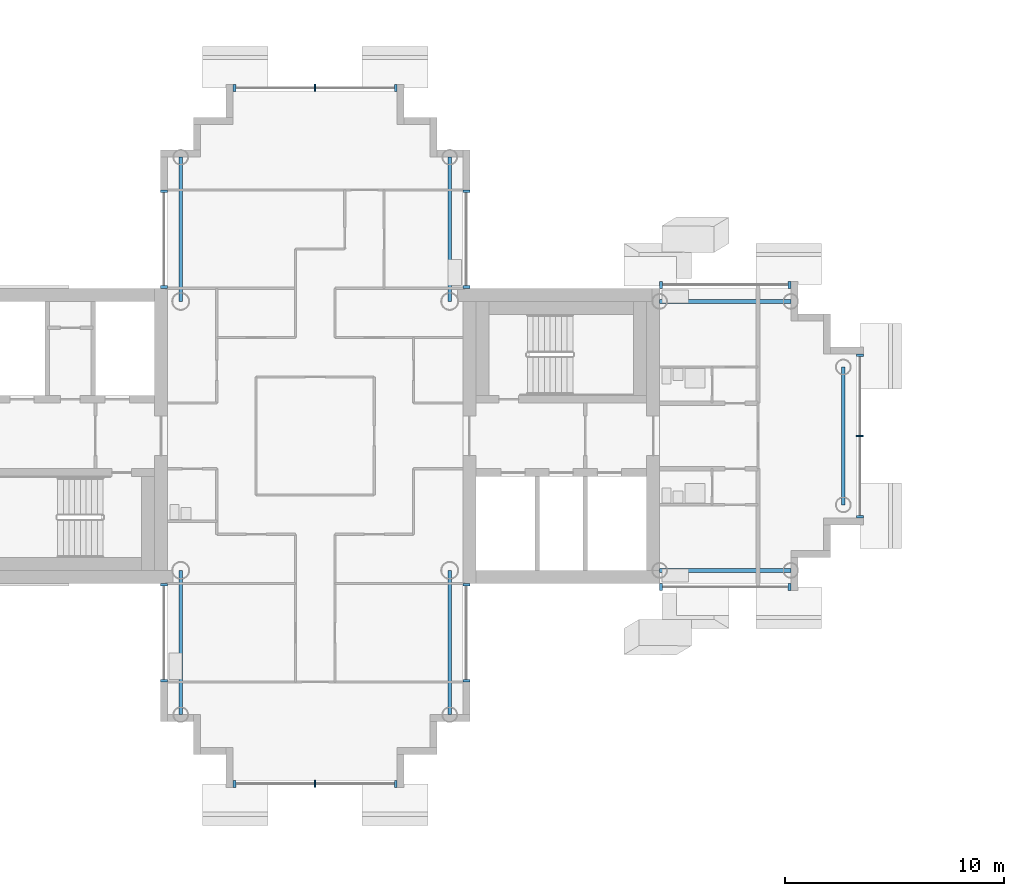
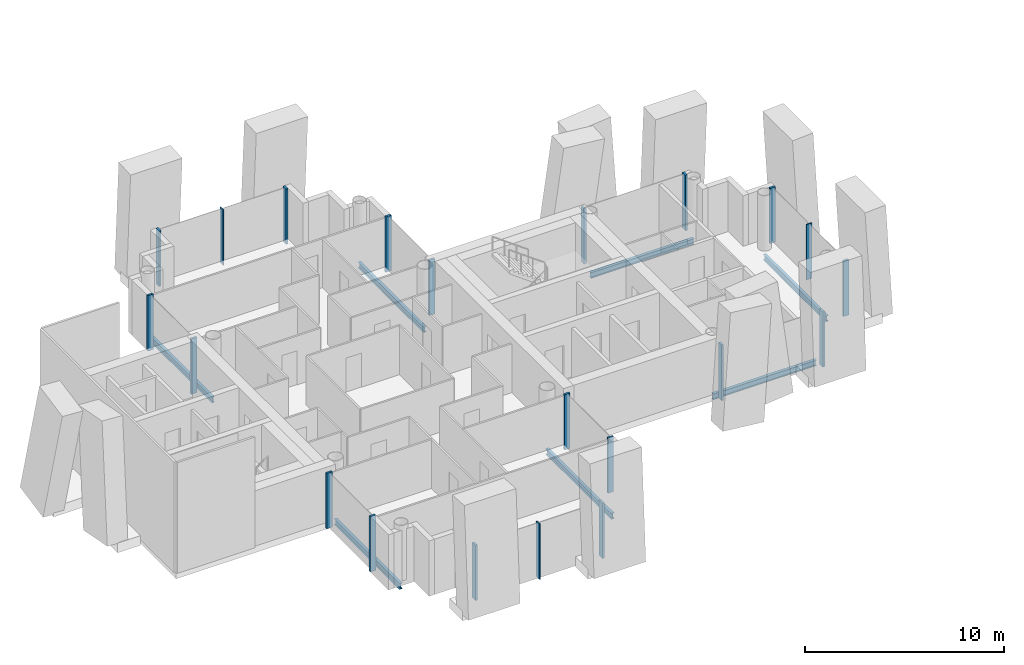
# One storey, part 3 of 18: 21 members, 7 beams, 9 elements without a shape of their own.
"""IFC4 building model written with IfcOpenShell, lengths in metres."""

from ifc_helpers import new_model, si_unit, direction, frame, origin, origin_2d, place, context, subcontext, project, spatial, rectangle, i_section, extrude, material, layer, layer_set, material_profile, profile_set, type_object, element, aggregate, save


model = new_model("IFC4")

# Units and contexts
model_context = context("Model", 3, precision=1e-05, world=origin(), true_north=direction((0.0, 1.0)))
body_context = subcontext(model_context, "Body", "Model", "MODEL_VIEW")
ifc_project = project(units=[si_unit("LENGTHUNIT", "METRE"), si_unit("AREAUNIT", "SQUARE_METRE"), si_unit("VOLUMEUNIT", "CUBIC_METRE"), si_unit("PLANEANGLEUNIT", "RADIAN"), si_unit("MASSUNIT", "GRAM", prefix="KILO")], contexts=[model_context])

# Site, building, storey
site_placement = place(None, origin())
site = spatial("IfcSite", under=ifc_project, at=site_placement, CompositionType="ELEMENT")
building_placement = place(site_placement, origin())
building = spatial("IfcBuilding", under=site, at=building_placement, Name="Ipe Terrace Towers", CompositionType="ELEMENT")
storey_placement = place(building_placement, frame((0.0, 0.0, 196.0)))
storey = spatial("IfcBuildingStorey", under=building, at=storey_placement, Name="L54", CompositionType="ELEMENT", Elevation=196.0)

# Beams
ifc_material_1 = material(Name="Steel S355", Category="steel")
ifc_material_profile_1 = material_profile(ifc_material_1, i_section(OverallWidth=0.175048828125, OverallDepth=0.35009765625, WebThickness=0.007080078125, FlangeThickness=0.010986328125, at=origin_2d()), Name="H-350x175x7x11")
ifc_profile_set_1 = profile_set([ifc_material_profile_1], Name="Steel S355")
beam_type = type_object("IfcBeamType", Name="H04 EDGE BEAM H-350x175x7x11", PredefinedType="BEAM", material=ifc_profile_set_1)
for number, where, z_axis, x_axis, name in (
    (1, (-20.25, -6.14990234375, -0.574951171875), (1.0, 0.0, 0.0), (0.0, 1.0, 0.0), "Edge beam T1-EB-A01-A03"),
    (2, (-20.25, 6.14990234375, -0.574951171875), (1.0, 0.0, 0.0), (0.0, 1.0, 0.0), "Edge beam T1-EB-A02-A04"),
):
    element("IfcBeam", number, at=place(storey_placement, frame(where, z_axis=z_axis, x_axis=x_axis)), inside=storey, type_object=beam_type, Name=name, PredefinedType="BEAM", context=body_context, shape_type="SweptSolid", body=[
        extrude(i_section(OverallWidth=0.175048828125, OverallDepth=0.35009765625, WebThickness=0.007080078125, FlangeThickness=0.010986328125, at=origin_2d()), origin(), (0.0, 0.0, 1.0), 6.0),
    ])
beam_placement = place(storey_placement, frame((-11.85009765625, -3.14990234375, -0.574951171875), z_axis=(0.0, 1.0, 0.0), x_axis=(-1.0, 0.0, 0.0)))
element("IfcBeam", 3, at=beam_placement, inside=storey, type_object=beam_type, Name="Edge beam T1-EB-A05-A06", PredefinedType="BEAM", context=body_context, shape_type="SweptSolid", body=[
    extrude(i_section(OverallWidth=0.175048828125, OverallDepth=0.35009765625, WebThickness=0.007080078125, FlangeThickness=0.010986328125, at=origin_2d()), origin(), (0.0, 0.0, 1.0), 6.2998046875),
])
for number, where, z_axis, x_axis, name in (
    (4, (-29.85009765625, 12.75, -0.574951171875), (0.0, -1.0, 0.0), (1.0, 0.0, 0.0), "Edge beam T1-EB-B01-E03"),
    (5, (-42.14990234375, 12.75, -0.574951171875), (0.0, -1.0, 0.0), (1.0, 0.0, 0.0), "Edge beam T1-EB-B02-E04"),
    (6, (-42.14990234375, -12.75, -0.574951171875), (0.0, 1.0, 0.0), (-1.0, 0.0, 0.0), "Edge beam T1-EB-D01-E01"),
    (7, (-29.85009765625, -12.75, -0.574951171875), (0.0, 1.0, 0.0), (-1.0, 0.0, 0.0), "Edge beam T1-EB-D02-E02"),
):
    element("IfcBeam", number, at=place(storey_placement, frame(where, z_axis=z_axis, x_axis=x_axis)), inside=storey, type_object=beam_type, Name=name, PredefinedType="BEAM", context=body_context, shape_type="SweptSolid", body=[
        extrude(i_section(OverallWidth=0.175048828125, OverallDepth=0.35009765625, WebThickness=0.007080078125, FlangeThickness=0.010986328125, at=origin_2d()), origin(), (0.0, 0.0, 1.0), 6.60009765625),
    ])

# Curtain wall, members
ifc_material_2 = material(Name="Aluminium alloy 6063-T6", Category="aluminium")
ifc_layer = layer(ifc_material_2, 0.320068359375)
ifc_layer_set = layer_set([ifc_layer], Name="TOWER UNITISED CURTAIN WALL")
curtain_wall_type = type_object("IfcCurtainWallType", Name="TOWER UNITISED CURTAIN WALL", PredefinedType="NOTDEFINED", material=ifc_layer_set)
curtain_wall_1_placement = place(storey_placement, origin())
curtain_wall_1 = element("IfcCurtainWall", 8, at=curtain_wall_1_placement, inside=storey, type_object=curtain_wall_type, Name="T1-CW-L54-02a curtain wall", PredefinedType="NOTDEFINED")
ifc_material_3 = material(Name="Aluminium alloy 6063-T6", Category="aluminium")
ifc_material_profile_2 = material_profile(ifc_material_3, rectangle(XDim=0.320068359375, YDim=0.1201171875, at=origin_2d()), Name="TOWER UNITISED CORNER MULLION 320 x 120")
ifc_profile_set_2 = profile_set([ifc_material_profile_2], Name="Aluminium alloy 6063-T6")
member_type_1 = type_object("IfcMemberType", Name="TOWER UNITISED CORNER MULLION 320 x 120", PredefinedType="MULLION", material=ifc_profile_set_2)
member_1_placement = place(storey_placement, frame((-42.909912109375, -6.81005859375, -0.300048828125), z_axis=(0.0, 0.0, 1.0), x_axis=(-1.0, 0.0, 0.0)))
member_1 = element("IfcMember", 9, at=member_1_placement, type_object=member_type_1, Name="T1-CW-L54-02a mullion 1", PredefinedType="MULLION", context=body_context, shape_type="SweptSolid", body=[
    extrude(rectangle(XDim=0.320068359375, YDim=0.1201171875, at=origin_2d()), origin(), (0.0, 0.0, 1.0), 3.400146484375),
])
member_2_placement = place(storey_placement, frame((-42.909912109375, -11.18994140625, -0.300048828125), z_axis=(0.0, 0.0, 1.0), x_axis=(-1.0, 0.0, 0.0)))
member_2 = element("IfcMember", 10, at=member_2_placement, type_object=member_type_1, Name="T1-CW-L54-02a mullion 2", PredefinedType="MULLION", context=body_context, shape_type="SweptSolid", body=[
    extrude(rectangle(XDim=0.320068359375, YDim=0.1201171875, at=origin_2d()), origin(), (0.0, 0.0, 1.0), 3.400146484375),
])
aggregate(curtain_wall_1, [member_1, member_2])

curtain_wall_2_placement = place(storey_placement, origin())
curtain_wall_2 = element("IfcCurtainWall", 11, at=curtain_wall_2_placement, inside=storey, type_object=curtain_wall_type, Name="T1-CW-L54-08a curtain wall", PredefinedType="NOTDEFINED")
member_3_placement = place(storey_placement, frame((-39.68994140625, -15.909912109375, -0.300048828125), z_axis=(0.0, 0.0, 1.0), x_axis=(0.0, -1.0, 0.0)))
member_3 = element("IfcMember", 12, at=member_3_placement, type_object=member_type_1, Name="T1-CW-L54-08a mullion 1", PredefinedType="MULLION", context=body_context, shape_type="SweptSolid", body=[
    extrude(rectangle(XDim=0.320068359375, YDim=0.1201171875, at=origin_2d()), origin(), (0.0, 0.0, 1.0), 3.400146484375),
])
member_4_placement = place(storey_placement, frame((-32.31005859375, -15.909912109375, -0.300048828125), z_axis=(0.0, 0.0, 1.0), x_axis=(0.0, -1.0, 0.0)))
member_4 = element("IfcMember", 13, at=member_4_placement, type_object=member_type_1, Name="T1-CW-L54-08a mullion 3", PredefinedType="MULLION", context=body_context, shape_type="SweptSolid", body=[
    extrude(rectangle(XDim=0.320068359375, YDim=0.1201171875, at=origin_2d()), origin(), (0.0, 0.0, 1.0), 3.400146484375),
])

curtain_wall_3_placement = place(storey_placement, origin())
curtain_wall_3 = element("IfcCurtainWall", 14, at=curtain_wall_3_placement, inside=storey, type_object=curtain_wall_type, Name="T1-CW-L54-14a curtain wall", PredefinedType="NOTDEFINED")
member_5_placement = place(storey_placement, frame((-29.090087890625, -11.18994140625, -0.300048828125), z_axis=(0.0, 0.0, 1.0), x_axis=(1.0, 0.0, 0.0)))
member_5 = element("IfcMember", 15, at=member_5_placement, type_object=member_type_1, Name="T1-CW-L54-14a mullion 1", PredefinedType="MULLION", context=body_context, shape_type="SweptSolid", body=[
    extrude(rectangle(XDim=0.320068359375, YDim=0.1201171875, at=origin_2d()), origin(), (0.0, 0.0, 1.0), 3.400146484375),
])
member_6_placement = place(storey_placement, frame((-29.090087890625, -6.81005859375, -0.300048828125), z_axis=(0.0, 0.0, 1.0), x_axis=(1.0, 0.0, 0.0)))
member_6 = element("IfcMember", 16, at=member_6_placement, type_object=member_type_1, Name="T1-CW-L54-14a mullion 2", PredefinedType="MULLION", context=body_context, shape_type="SweptSolid", body=[
    extrude(rectangle(XDim=0.320068359375, YDim=0.1201171875, at=origin_2d()), origin(), (0.0, 0.0, 1.0), 3.400146484375),
])
aggregate(curtain_wall_3, [member_5, member_6])

curtain_wall_4_placement = place(storey_placement, origin())
curtain_wall_4 = element("IfcCurtainWall", 17, at=curtain_wall_4_placement, inside=storey, type_object=curtain_wall_type, Name="T1-CW-L54-16b curtain wall", PredefinedType="NOTDEFINED")
member_7_placement = place(storey_placement, frame((-20.18896484375, -6.909912109375, -0.300048828125), z_axis=(0.0, 0.0, 1.0), x_axis=(0.0, -1.0, 0.0)))
member_7 = element("IfcMember", 18, at=member_7_placement, type_object=member_type_1, Name="T1-CW-L54-16b mullion 1", PredefinedType="MULLION", context=body_context, shape_type="SweptSolid", body=[
    extrude(rectangle(XDim=0.320068359375, YDim=0.1201171875, at=origin_2d()), origin(), (0.0, 0.0, 1.0), 3.400146484375),
])
member_8_placement = place(storey_placement, frame((-14.31005859375, -6.909912109375, -0.300048828125), z_axis=(0.0, 0.0, 1.0), x_axis=(0.0, -1.0, 0.0)))
member_8 = element("IfcMember", 19, at=member_8_placement, type_object=member_type_1, Name="T1-CW-L54-16b mullion 2", PredefinedType="MULLION", context=body_context, shape_type="SweptSolid", body=[
    extrude(rectangle(XDim=0.320068359375, YDim=0.1201171875, at=origin_2d()), origin(), (0.0, 0.0, 1.0), 3.400146484375),
])
aggregate(curtain_wall_4, [member_7, member_8])

curtain_wall_5_placement = place(storey_placement, origin())
curtain_wall_5 = element("IfcCurtainWall", 20, at=curtain_wall_5_placement, inside=storey, type_object=curtain_wall_type, Name="T1-CW-L54-21a curtain wall", PredefinedType="NOTDEFINED")
member_9_placement = place(storey_placement, frame((-11.090087890625, -3.68994140625, -0.300048828125), z_axis=(0.0, 0.0, 1.0), x_axis=(1.0, 0.0, 0.0)))
member_9 = element("IfcMember", 21, at=member_9_placement, type_object=member_type_1, Name="T1-CW-L54-21a mullion 1", PredefinedType="MULLION", context=body_context, shape_type="SweptSolid", body=[
    extrude(rectangle(XDim=0.320068359375, YDim=0.1201171875, at=origin_2d()), origin(), (0.0, 0.0, 1.0), 3.400146484375),
])
member_10_placement = place(storey_placement, frame((-11.090087890625, 3.68994140625, -0.300048828125), z_axis=(0.0, 0.0, 1.0), x_axis=(1.0, 0.0, 0.0)))
member_10 = element("IfcMember", 22, at=member_10_placement, type_object=member_type_1, Name="T1-CW-L54-21a mullion 3", PredefinedType="MULLION", context=body_context, shape_type="SweptSolid", body=[
    extrude(rectangle(XDim=0.320068359375, YDim=0.1201171875, at=origin_2d()), origin(), (0.0, 0.0, 1.0), 3.400146484375),
])

curtain_wall_6_placement = place(storey_placement, origin())
curtain_wall_6 = element("IfcCurtainWall", 23, at=curtain_wall_6_placement, inside=storey, type_object=curtain_wall_type, Name="T1-CW-L54-26a curtain wall", PredefinedType="NOTDEFINED")
member_11_placement = place(storey_placement, frame((-14.31005859375, 6.909912109375, -0.300048828125), z_axis=(0.0, 0.0, 1.0), x_axis=(0.0, 1.0, 0.0)))
member_11 = element("IfcMember", 24, at=member_11_placement, type_object=member_type_1, Name="T1-CW-L54-26a mullion 1", PredefinedType="MULLION", context=body_context, shape_type="SweptSolid", body=[
    extrude(rectangle(XDim=0.320068359375, YDim=0.1201171875, at=origin_2d()), origin(), (0.0, 0.0, 1.0), 3.400146484375),
])
member_12_placement = place(storey_placement, frame((-20.18896484375, 6.909912109375, -0.300048828125), z_axis=(0.0, 0.0, 1.0), x_axis=(0.0, 1.0, 0.0)))
member_12 = element("IfcMember", 25, at=member_12_placement, type_object=member_type_1, Name="T1-CW-L54-26a mullion 2", PredefinedType="MULLION", context=body_context, shape_type="SweptSolid", body=[
    extrude(rectangle(XDim=0.320068359375, YDim=0.1201171875, at=origin_2d()), origin(), (0.0, 0.0, 1.0), 3.400146484375),
])
aggregate(curtain_wall_6, [member_11, member_12])

curtain_wall_7_placement = place(storey_placement, origin())
curtain_wall_7 = element("IfcCurtainWall", 26, at=curtain_wall_7_placement, inside=storey, type_object=curtain_wall_type, Name="T1-CW-L54-28a curtain wall", PredefinedType="NOTDEFINED")
member_13_placement = place(storey_placement, frame((-29.090087890625, 6.81005859375, -0.300048828125), z_axis=(0.0, 0.0, 1.0), x_axis=(1.0, 0.0, 0.0)))
member_13 = element("IfcMember", 27, at=member_13_placement, type_object=member_type_1, Name="T1-CW-L54-28a mullion 1", PredefinedType="MULLION", context=body_context, shape_type="SweptSolid", body=[
    extrude(rectangle(XDim=0.320068359375, YDim=0.1201171875, at=origin_2d()), origin(), (0.0, 0.0, 1.0), 3.400146484375),
])
member_14_placement = place(storey_placement, frame((-29.090087890625, 11.18994140625, -0.300048828125), z_axis=(0.0, 0.0, 1.0), x_axis=(1.0, 0.0, 0.0)))
member_14 = element("IfcMember", 28, at=member_14_placement, type_object=member_type_1, Name="T1-CW-L54-28a mullion 2", PredefinedType="MULLION", context=body_context, shape_type="SweptSolid", body=[
    extrude(rectangle(XDim=0.320068359375, YDim=0.1201171875, at=origin_2d()), origin(), (0.0, 0.0, 1.0), 3.400146484375),
])
aggregate(curtain_wall_7, [member_13, member_14])

curtain_wall_8_placement = place(storey_placement, origin())
curtain_wall_8 = element("IfcCurtainWall", 29, at=curtain_wall_8_placement, inside=storey, type_object=curtain_wall_type, Name="T1-CW-L54-34a curtain wall", PredefinedType="NOTDEFINED")
member_15_placement = place(storey_placement, frame((-32.31005859375, 15.909912109375, -0.300048828125), z_axis=(0.0, 0.0, 1.0), x_axis=(0.0, 1.0, 0.0)))
member_15 = element("IfcMember", 30, at=member_15_placement, type_object=member_type_1, Name="T1-CW-L54-34a mullion 1", PredefinedType="MULLION", context=body_context, shape_type="SweptSolid", body=[
    extrude(rectangle(XDim=0.320068359375, YDim=0.1201171875, at=origin_2d()), origin(), (0.0, 0.0, 1.0), 3.400146484375),
])
member_16_placement = place(storey_placement, frame((-39.68994140625, 15.909912109375, -0.300048828125), z_axis=(0.0, 0.0, 1.0), x_axis=(0.0, 1.0, 0.0)))
member_16 = element("IfcMember", 31, at=member_16_placement, type_object=member_type_1, Name="T1-CW-L54-34a mullion 3", PredefinedType="MULLION", context=body_context, shape_type="SweptSolid", body=[
    extrude(rectangle(XDim=0.320068359375, YDim=0.1201171875, at=origin_2d()), origin(), (0.0, 0.0, 1.0), 3.400146484375),
])

curtain_wall_9_placement = place(storey_placement, origin())
curtain_wall_9 = element("IfcCurtainWall", 32, at=curtain_wall_9_placement, inside=storey, type_object=curtain_wall_type, Name="T1-CW-L54-40a curtain wall", PredefinedType="NOTDEFINED")
member_17_placement = place(storey_placement, frame((-42.909912109375, 11.18994140625, -0.300048828125), z_axis=(0.0, 0.0, 1.0), x_axis=(-1.0, 0.0, 0.0)))
member_17 = element("IfcMember", 33, at=member_17_placement, type_object=member_type_1, Name="T1-CW-L54-40a mullion 1", PredefinedType="MULLION", context=body_context, shape_type="SweptSolid", body=[
    extrude(rectangle(XDim=0.320068359375, YDim=0.1201171875, at=origin_2d()), origin(), (0.0, 0.0, 1.0), 3.400146484375),
])
member_18_placement = place(storey_placement, frame((-42.909912109375, 6.81005859375, -0.300048828125), z_axis=(0.0, 0.0, 1.0), x_axis=(-1.0, 0.0, 0.0)))
member_18 = element("IfcMember", 34, at=member_18_placement, type_object=member_type_1, Name="T1-CW-L54-40a mullion 2", PredefinedType="MULLION", context=body_context, shape_type="SweptSolid", body=[
    extrude(rectangle(XDim=0.320068359375, YDim=0.1201171875, at=origin_2d()), origin(), (0.0, 0.0, 1.0), 3.400146484375),
])
aggregate(curtain_wall_9, [member_17, member_18])

# Member
ifc_material_4 = material(Name="Aluminium alloy 6063-T6", Category="aluminium")
ifc_material_profile_3 = material_profile(ifc_material_4, rectangle(XDim=0.320068359375, YDim=0.06494140625, at=origin_2d()), Name="TOWER UNITISED MULLION 320 x 65")
ifc_profile_set_3 = profile_set([ifc_material_profile_3], Name="Aluminium alloy 6063-T6")
member_type_2 = type_object("IfcMemberType", Name="TOWER UNITISED MULLION 320 x 65", PredefinedType="MULLION", material=ifc_profile_set_3)
member_19_placement = place(storey_placement, frame((-36.0, -15.909912109375, -0.300048828125), z_axis=(0.0, 0.0, 1.0), x_axis=(0.0, -1.0, 0.0)))
member_19 = element("IfcMember", 35, at=member_19_placement, type_object=member_type_2, Name="T1-CW-L54-08a mullion 2", PredefinedType="MULLION", context=body_context, shape_type="SweptSolid", body=[
    extrude(rectangle(XDim=0.320068359375, YDim=0.06494140625, at=origin_2d()), origin(), (0.0, 0.0, 1.0), 3.400146484375),
])

aggregate(curtain_wall_2, [member_3, member_19, member_4])

member_20_placement = place(storey_placement, frame((-11.090087890625, 0.0, -0.300048828125), z_axis=(0.0, 0.0, 1.0), x_axis=(1.0, 0.0, 0.0)))
member_20 = element("IfcMember", 36, at=member_20_placement, type_object=member_type_2, Name="T1-CW-L54-21a mullion 2", PredefinedType="MULLION", context=body_context, shape_type="SweptSolid", body=[
    extrude(rectangle(XDim=0.320068359375, YDim=0.06494140625, at=origin_2d()), origin(), (0.0, 0.0, 1.0), 3.400146484375),
])

aggregate(curtain_wall_5, [member_9, member_20, member_10])

member_21_placement = place(storey_placement, frame((-36.0, 15.909912109375, -0.300048828125), z_axis=(0.0, 0.0, 1.0), x_axis=(0.0, 1.0, 0.0)))
member_21 = element("IfcMember", 37, at=member_21_placement, type_object=member_type_2, Name="T1-CW-L54-34a mullion 2", PredefinedType="MULLION", context=body_context, shape_type="SweptSolid", body=[
    extrude(rectangle(XDim=0.320068359375, YDim=0.06494140625, at=origin_2d()), origin(), (0.0, 0.0, 1.0), 3.400146484375),
])

aggregate(curtain_wall_8, [member_15, member_21, member_16])

save(model, "model.ifc")
